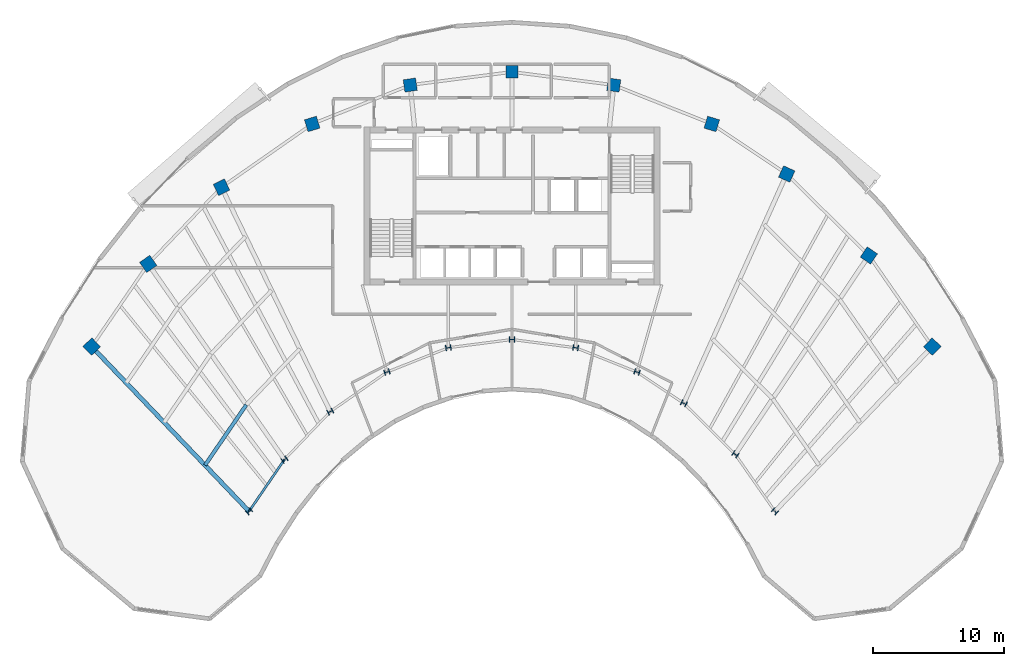
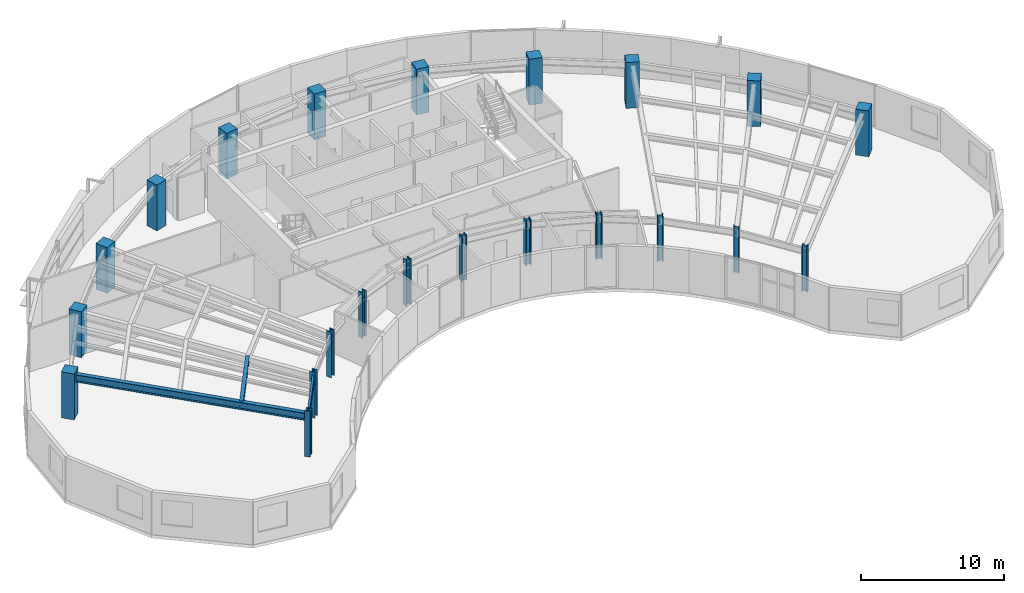
# One storey, part 1 of 14: 22 columns, 3 beams.
"""IFC4 building model written with IfcOpenShell, lengths in metres."""

from ifc_helpers import new_model, si_unit, direction, frame, origin, origin_2d, place, context, subcontext, project, spatial, rectangle, i_section, extrude, source, transform, mapped, material, material_profile, profile_set, type_object, type_shapes, element, save


model = new_model("IFC4")

# Units and contexts
model_context = context("Model", 3, precision=1e-05, world=origin(), true_north=direction((0.0, 1.0)))
body_context = subcontext(model_context, "Body", "Model", "MODEL_VIEW")
ifc_project = project(units=[si_unit("LENGTHUNIT", "METRE"), si_unit("AREAUNIT", "SQUARE_METRE"), si_unit("VOLUMEUNIT", "CUBIC_METRE"), si_unit("PLANEANGLEUNIT", "RADIAN"), si_unit("MASSUNIT", "GRAM", prefix="KILO")], contexts=[model_context])

# Site, building, storey
site_placement = place(None, origin())
site = spatial("IfcSite", under=ifc_project, at=site_placement, CompositionType="ELEMENT")
building_placement = place(site_placement, origin())
building = spatial("IfcBuilding", under=site, at=building_placement, Name="Breltana Convention Tower", CompositionType="ELEMENT")
storey_placement = place(building_placement, frame((0.0, 0.0, 207.89990234375)))
storey = spatial("IfcBuildingStorey", under=building, at=storey_placement, Name="L50", CompositionType="ELEMENT", Elevation=207.89990234375)

# Columns
ifc_material_1 = material(Name="Steel ASTM A992 Grade 50", Category="steel")
ifc_material_profile_1 = material_profile(ifc_material_1, i_section(OverallWidth=0.406005859375, OverallDepth=0.416015625, WebThickness=0.02978515625, FlangeThickness=0.048095703125, at=origin_2d()), Name="W14X257")
ifc_profile_set_1 = profile_set([ifc_material_profile_1], Name="Steel ASTM A992 Grade 50")
column_type_1 = type_object("IfcColumnType", Name="COL-STL-W14X257", PredefinedType="COLUMN", material=ifc_profile_set_1)
shared_shape_1 = source(origin(), body_context, "Body", "SweptSolid", [
    extrude(i_section(OverallWidth=0.406005859375, OverallDepth=0.416015625, WebThickness=0.02978515625, FlangeThickness=0.048095703125, at=origin_2d()), origin(), (0.0, 0.0, 1.0), 3.900146484375),
])
for number, where, z_axis, x_axis, name in (
    (1, (27.984619140625, 42.95458984375, 0.0), (0.0, 0.0, 1.0), (-0.690756218984, 0.723087716626, 0.0), "L50 Tower Column R01-IN"),
    (2, (30.67724609375, 46.892333984375, 0.0), (0.0, 0.0, 1.0), (-0.571143442153, 0.820850271661, 0.0), "L50 Tower Column R02-IN"),
    (3, (34.166259765625, 50.544921875, 0.0), (0.0, 0.0, 1.0), (-0.436173672171, 0.899862504889, 0.0), "L50 Tower Column R03-IN"),
    (4, (38.485107421875, 53.5576171875, 0.0), (0.0, 0.0, 1.0), (-0.288697611798, 0.957420330337, 0.0), "L50 Tower Column R04-IN"),
    (5, (43.153564453125, 55.41064453125, 0.0), (0.0, 0.0, 1.0), (-0.143492621991, 0.98965138682, 0.0), "L50 Tower Column R05-IN"),
    (6, (48.0, 56.035888671875, 0.0), (0.0, 0.0, 1.0), (0.0, 1.0, 0.0), "L50 Tower Column R06-IN"),
    (7, (52.846435546875, 55.41064453125, 0.0), (0.0, 0.0, 1.0), (0.143492621991, 0.98965138682, 0.0), "L50 Tower Column R07-IN"),
    (8, (57.514892578125, 53.5576171875, 0.0), (0.0, 0.0, 1.0), (0.288697611798, 0.957420330337, 0.0), "L50 Tower Column R08-IN"),
    (9, (61.08203125, 51.174560546875, 0.0), (0.0, 0.0, 1.0), (0.409126902895, 0.912477494148, 0.0), "L50 Tower Column R09-IN"),
    (10, (64.995849609375, 47.293701171875, 0.0), (0.0, 0.0, 1.0), (0.55774510898, 0.830012285095, 0.0), "L50 Tower Column R10-IN"),
    (11, (68.015380859375, 42.95458984375, 0.0), (0.0, 0.0, 1.0), (0.690756218984, 0.723087716626, 0.0), "L50 Tower Column R11-IN"),
):
    element("IfcColumn", number, at=place(storey_placement, frame(where, z_axis=z_axis, x_axis=x_axis)), inside=storey, type_object=column_type_1, Name=name, PredefinedType="COLUMN", context=body_context, shape_type="MappedRepresentation", body=[
        mapped(shared_shape_1, transform((0.0, 0.0, 0.0), scale=1.0)),
    ])
ifc_material_2 = material(Name="Concrete C50/60", Category="concrete")
ifc_material_profile_2 = material_profile(ifc_material_2, rectangle(XDim=0.949951171875, YDim=0.949951171875, at=origin_2d()), Name="RC-COL-950X950")
ifc_profile_set_2 = profile_set([ifc_material_profile_2], Name="Concrete C50/60")
column_type_2 = type_object("IfcColumnType", Name="COL-RC-950", PredefinedType="COLUMN", material=ifc_profile_set_2)
shared_shape_2 = source(origin(), body_context, "Body", "SweptSolid", [
    extrude(rectangle(XDim=0.949951171875, YDim=0.949951171875, at=origin_2d()), origin(), (0.0, 0.0, 1.0), 3.900146484375),
])
for number, where, z_axis, x_axis, name in (
    (12, (16.0068359375, 55.494384765625, 0.0), (0.0, 0.0, 1.0), (-0.690756218984, 0.723087716626, 0.0), "L50 Tower Column R01-OUT"),
    (13, (20.310791015625, 61.78857421875, 0.0), (0.0, 0.0, 1.0), (-0.571143442153, 0.820850271661, 0.0), "L50 Tower Column R02-OUT"),
    (14, (25.8876953125, 67.626953125, 0.0), (0.0, 0.0, 1.0), (-0.436173672171, 0.899862504889, 0.0), "L50 Tower Column R03-OUT"),
    (15, (32.791015625, 72.4423828125, 0.0), (0.0, 0.0, 1.0), (-0.288697611798, 0.957420330337, 0.0), "L50 Tower Column R04-OUT"),
    (16, (40.253173828125, 75.404296875, 0.0), (0.0, 0.0, 1.0), (-0.143492621991, 0.98965138682, 0.0), "L50 Tower Column R05-OUT"),
    (17, (48.0, 76.404052734375, 0.0), (0.0, 0.0, 1.0), (0.0, 1.0, 0.0), "L50 Tower Column R06-OUT"),
    (18, (55.746826171875, 75.404296875, 0.0), (0.0, 0.0, 1.0), (0.143492621991, 0.98965138682, 0.0), "L50 Tower Column R07-OUT"),
    (19, (63.208984375, 72.4423828125, 0.0), (0.0, 0.0, 1.0), (0.288697611798, 0.957420330337, 0.0), "L50 Tower Column R08-OUT"),
    (20, (68.910400390625, 68.63330078125, 0.0), (0.0, 0.0, 1.0), (0.409126902895, 0.912477494148, 0.0), "L50 Tower Column R09-OUT"),
    (21, (75.166748046875, 62.43017578125, 0.0), (0.0, 0.0, 1.0), (0.55774510898, 0.830012285095, 0.0), "L50 Tower Column R10-OUT"),
    (22, (79.9931640625, 55.494384765625, 0.0), (0.0, 0.0, 1.0), (0.690756218984, 0.723087716626, 0.0), "L50 Tower Column R11-OUT"),
):
    element("IfcColumn", number, at=place(storey_placement, frame(where, z_axis=z_axis, x_axis=x_axis)), inside=storey, type_object=column_type_2, Name=name, PredefinedType="COLUMN", context=body_context, shape_type="MappedRepresentation", body=[
        mapped(shared_shape_2, transform((0.0, 0.0, 0.0), scale=1.0)),
    ])

# Beams
ifc_material_profile_3 = material_profile(ifc_material_1, i_section(OverallWidth=0.280029296875, OverallDepth=0.462890625, WebThickness=0.0107421875, FlangeThickness=0.017333984375, at=origin_2d()), Name="W18X76")
ifc_profile_set_3 = profile_set([ifc_material_profile_3], Name="Steel ASTM A992 Grade 50")
beam_type_1 = type_object("IfcBeamType", Name="BM-JSG-06", PredefinedType="JOIST", material=ifc_profile_set_3)
shared_shape_3 = source(origin(), body_context, "Body", "SweptSolid", [
    extrude(i_section(OverallWidth=0.280029296875, OverallDepth=0.462890625, WebThickness=0.0107421875, FlangeThickness=0.017333984375, at=origin_2d()), origin(), (0.0, 0.0, 1.0), 5.569580078125),
])
type_shapes(beam_type_1, [shared_shape_3])
beam_1_placement = place(storey_placement, frame((24.630615234375, 46.4658203125, 3.40869140625), z_axis=(0.564493760458, 0.825437335237, 0.0), x_axis=(-0.825437335237, 0.564493760458, 0.0)))
element("IfcBeam", 23, at=beam_1_placement, inside=storey, type_object=beam_type_1, Name="L50 Composite Floor Joist 01.1", PredefinedType="JOIST", context=body_context, shape_type="MappedRepresentation", body=[
    mapped(shared_shape_3, transform((0.0, 0.0, 0.0), scale=1.0)),
])
ifc_material_profile_4 = material_profile(ifc_material_1, i_section(OverallWidth=0.166015625, OverallDepth=0.534912109375, WebThickness=0.01025390625, FlangeThickness=0.0166015625, at=origin_2d()), Name="W21X57")
ifc_profile_set_4 = profile_set([ifc_material_profile_4], Name="Steel ASTM A992 Grade 50")
beam_type_2 = type_object("IfcBeamType", Name="BM-BM-W21X57", PredefinedType="BEAM", material=ifc_profile_set_4)
shared_shape_4 = source(origin(), body_context, "Body", "SweptSolid", [
    extrude(i_section(OverallWidth=0.166015625, OverallDepth=0.534912109375, WebThickness=0.01025390625, FlangeThickness=0.0166015625, at=origin_2d()), origin(), (0.0, 0.0, 1.0), 4.770263671875),
])
beam_2_placement = place(storey_placement, frame((27.984619140625, 42.95458984375, 3.37255859375), z_axis=(0.564452719055, 0.82546540082, 0.0), x_axis=(-0.82546540082, 0.564452719055, 0.0)))
element("IfcBeam", 24, at=beam_2_placement, inside=storey, type_object=beam_type_2, Name="L50 Inner Ring Beam 01", PredefinedType="BEAM", context=body_context, shape_type="MappedRepresentation", body=[
    mapped(shared_shape_4, transform((0.0, 0.0, 0.0), scale=1.0)),
])
ifc_material_profile_5 = material_profile(ifc_material_1, i_section(OverallWidth=0.326904296875, OverallDepth=0.6220703125, WebThickness=0.015380859375, FlangeThickness=0.0244140625, at=origin_2d()), Name="W24X131")
ifc_profile_set_5 = profile_set([ifc_material_profile_5], Name="Steel ASTM A992 Grade 50")
beam_type_3 = type_object("IfcBeamType", Name="BM-RG-W24X131", PredefinedType="USERDEFINED", material=ifc_profile_set_5)
shared_shape_5 = source(origin(), body_context, "Body", "SweptSolid", [
    extrude(i_section(OverallWidth=0.326904296875, OverallDepth=0.6220703125, WebThickness=0.015380859375, FlangeThickness=0.0244140625, at=origin_2d()), origin(), (0.0, 0.0, 1.0), 17.341064453125),
])
type_shapes(beam_type_3, [shared_shape_5])
beam_3_placement = place(storey_placement, frame((27.984619140625, 42.95458984375, 3.3291015625), z_axis=(-0.690716462293, 0.723125693581, 0.0), x_axis=(-0.723125693581, -0.690716462293, 0.0)))
element("IfcBeam", 25, at=beam_3_placement, inside=storey, type_object=beam_type_3, Name="L50 Radial Floor Girder R01", ObjectType="GIRDER", PredefinedType="USERDEFINED", context=body_context, shape_type="MappedRepresentation", body=[
    mapped(shared_shape_5, transform((0.0, 0.0, 0.0), scale=1.0)),
])

save(model, "model.ifc")
